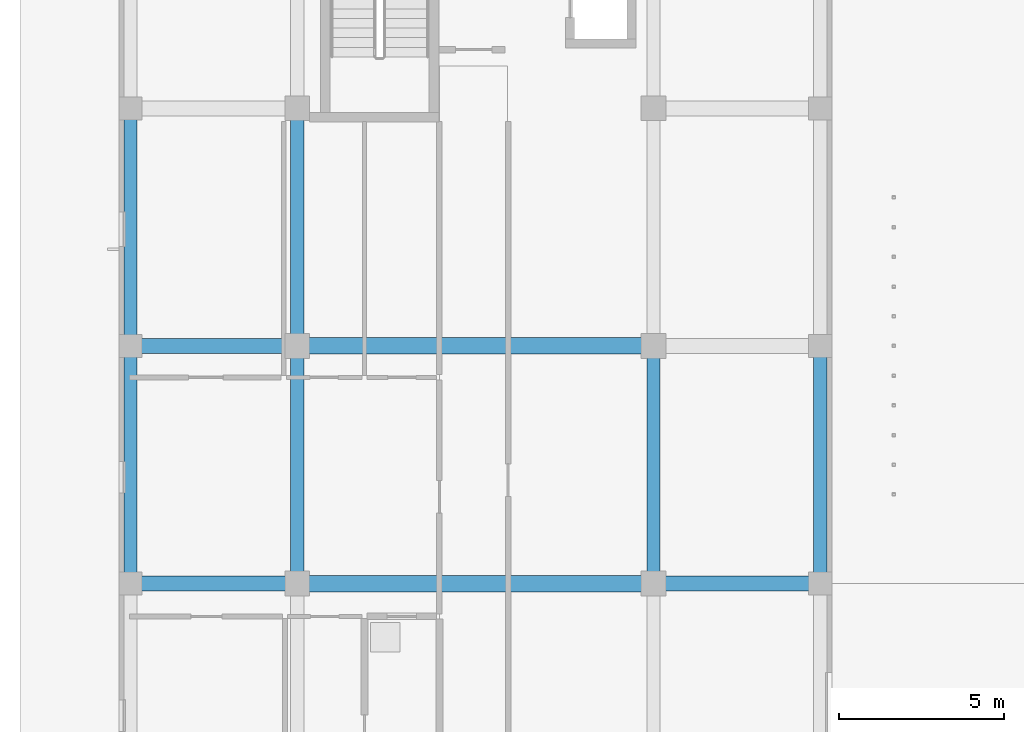
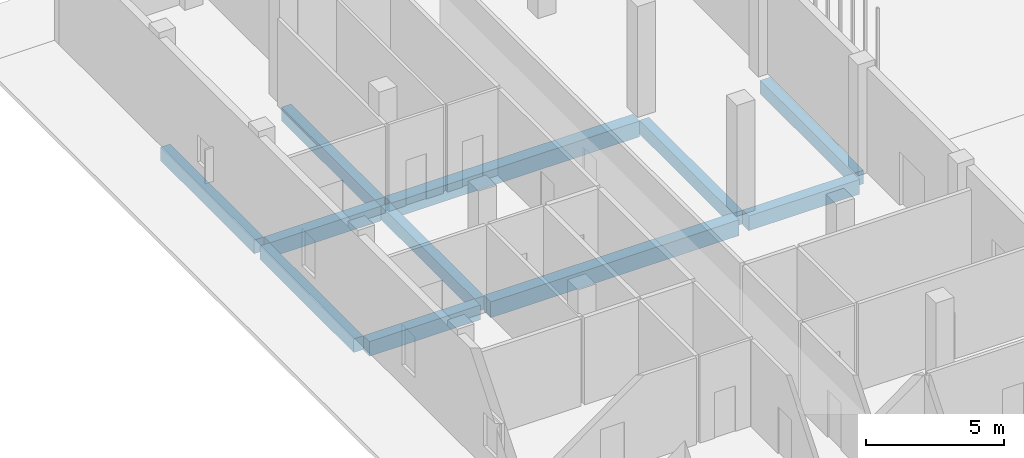
# One storey, part 18 of 85: 11 beams.
"""IFC4 building model written with IfcOpenShell, lengths in metres."""

from ifc_helpers import new_model, si_unit, derived_unit, direction, frame, origin, origin_2d, place, context, subcontext, project, spatial, rectangle, extrude, material, material_profile, profile_set, type_object, element, save


model = new_model("IFC4")

# Units and contexts
model_context = context("Model", 3, precision=1e-05, world=origin(), true_north=direction((0.0, 1.0)))
body_context = subcontext(model_context, "Body", "Model", "MODEL_VIEW")
ifc_project = project(units=[si_unit("LENGTHUNIT", "METRE"), si_unit("AREAUNIT", "SQUARE_METRE"), si_unit("VOLUMEUNIT", "CUBIC_METRE"), si_unit("PLANEANGLEUNIT", "RADIAN"), si_unit("MASSUNIT", "GRAM", prefix="KILO"), derived_unit("THERMALTRANSMITTANCEUNIT", [(si_unit("MASSUNIT", "GRAM", prefix="KILO"), 1), (si_unit("TIMEUNIT", "SECOND"), -3), (si_unit("THERMODYNAMICTEMPERATUREUNIT", "KELVIN"), -1)])], contexts=[model_context])

# Site, building, storey
site_placement = place(None, origin())
site = spatial("IfcSite", under=ifc_project, at=site_placement, CompositionType="ELEMENT")
building_placement = place(site_placement, origin())
building = spatial("IfcBuilding", under=site, at=building_placement, Name="Ochrekiln Boulevard Commons", CompositionType="ELEMENT")
storey_placement = place(building_placement, origin())
storey = spatial("IfcBuildingStorey", under=building, at=storey_placement, Name="L00", CompositionType="ELEMENT", Elevation=0.0)

# Beams
ifc_material_1 = material(Name="Concrete C35/45", Category="concrete")
ifc_material_profile_1 = material_profile(ifc_material_1, rectangle(XDim=0.39990234375, YDim=0.60009765625, at=origin_2d()), Name="RC-BM-400x600")
ifc_profile_set_1 = profile_set([ifc_material_profile_1], Name="Concrete C35/45")
beam_type_1 = type_object("IfcBeamType", Name="BM-RC-400x600", PredefinedType="BEAM", material=ifc_profile_set_1)
beam_1_placement = place(storey_placement, frame((0.35009765625, 97.409912109375, -0.580078125), z_axis=(0.0, 1.0, 0.0), x_axis=(-1.0, 0.0, 0.0)))
element("IfcBeam", 1, at=beam_1_placement, inside=storey, type_object=beam_type_1, Name="Block A L00 Beam B-4060 Y27", PredefinedType="BEAM", context=body_context, shape_type="SweptSolid", body=[
    extrude(rectangle(XDim=0.39990234375, YDim=0.60009765625, at=origin_2d()), origin(), (0.0, 0.0, 1.0), 6.780029296875),
])
beam_2_placement = place(storey_placement, frame((0.35009765625, 104.610107421875, -0.580078125), z_axis=(0.0, 1.0, 0.0), x_axis=(-1.0, 0.0, 0.0)))
element("IfcBeam", 2, at=beam_2_placement, inside=storey, type_object=beam_type_1, Name="Block A L00 Beam B-4060 Y28", PredefinedType="BEAM", context=body_context, shape_type="SweptSolid", body=[
    extrude(rectangle(XDim=0.39990234375, YDim=0.60009765625, at=origin_2d()), origin(), (0.0, 0.0, 1.0), 6.77978515625),
])
beam_3_placement = place(storey_placement, frame((5.39990234375, 97.409912109375, -0.580078125), z_axis=(0.0, 1.0, 0.0), x_axis=(-1.0, 0.0, 0.0)))
element("IfcBeam", 3, at=beam_3_placement, inside=storey, type_object=beam_type_1, Name="Block A L00 Beam B-4060 Y34", PredefinedType="BEAM", context=body_context, shape_type="SweptSolid", body=[
    extrude(rectangle(XDim=0.39990234375, YDim=0.60009765625, at=origin_2d()), origin(), (0.0, 0.0, 1.0), 6.780029296875),
])
beam_4_placement = place(storey_placement, frame((5.39990234375, 104.610107421875, -0.580078125), z_axis=(0.0, 1.0, 0.0), x_axis=(-1.0, 0.0, 0.0)))
element("IfcBeam", 4, at=beam_4_placement, inside=storey, type_object=beam_type_1, Name="Block A L00 Beam B-4060 Y35", PredefinedType="BEAM", context=body_context, shape_type="SweptSolid", body=[
    extrude(rectangle(XDim=0.39990234375, YDim=0.60009765625, at=origin_2d()), origin(), (0.0, 0.0, 1.0), 6.77978515625),
])
for number, where, z_axis, x_axis, name in (
    (5, (16.199951171875, 97.409912109375, -0.580078125), (0.0, 1.0, 0.0), (-1.0, 0.0, 0.0), "Block A L00 Beam B-4060 Y41"),
    (6, (21.25, 97.409912109375, -0.580078125), (0.0, 1.0, 0.0), (-1.0, 0.0, 0.0), "Block A L00 Beam B-4060 Y48"),
):
    element("IfcBeam", number, at=place(storey_placement, frame(where, z_axis=z_axis, x_axis=x_axis)), inside=storey, type_object=beam_type_1, Name=name, PredefinedType="BEAM", context=body_context, shape_type="SweptSolid", body=[
        extrude(rectangle(XDim=0.39990234375, YDim=0.60009765625, at=origin_2d()), origin(), (0.0, 0.0, 1.0), 6.780029296875),
    ])
ifc_material_profile_2 = material_profile(ifc_material_1, rectangle(XDim=0.449951171875, YDim=0.64990234375, at=origin_2d()), Name="RC-BM-450x650")
ifc_profile_set_2 = profile_set([ifc_material_profile_2], Name="Concrete C35/45")
beam_type_2 = type_object("IfcBeamType", Name="BM-RC-450x650", PredefinedType="BEAM", material=ifc_profile_set_2)
beam_5_placement = place(storey_placement, frame((0.56005859375, 97.199951171875, -0.60498046875), z_axis=(1.0, 0.0, 0.0), x_axis=(0.0, 1.0, 0.0)))
element("IfcBeam", 7, at=beam_5_placement, inside=storey, type_object=beam_type_2, Name="Block A L00 Beam B-4565 X12", PredefinedType="BEAM", context=body_context, shape_type="SweptSolid", body=[
    extrude(rectangle(XDim=0.449951171875, YDim=0.64990234375, at=origin_2d()), origin(), (0.0, 0.0, 1.0), 4.6298828125),
])
beam_6_placement = place(storey_placement, frame((16.409912109375, 97.199951171875, -0.60498046875), z_axis=(1.0, 0.0, 0.0), x_axis=(0.0, 1.0, 0.0)))
element("IfcBeam", 8, at=beam_6_placement, inside=storey, type_object=beam_type_2, Name="Block A L00 Beam B-4565 X14", PredefinedType="BEAM", context=body_context, shape_type="SweptSolid", body=[
    extrude(rectangle(XDim=0.449951171875, YDim=0.64990234375, at=origin_2d()), origin(), (0.0, 0.0, 1.0), 4.630126953125),
])
beam_7_placement = place(storey_placement, frame((0.56005859375, 104.39990234375, -0.60498046875), z_axis=(1.0, 0.0, 0.0), x_axis=(0.0, 1.0, 0.0)))
element("IfcBeam", 9, at=beam_7_placement, inside=storey, type_object=beam_type_2, Name="Block A L00 Beam B-4565 X15", PredefinedType="BEAM", context=body_context, shape_type="SweptSolid", body=[
    extrude(rectangle(XDim=0.449951171875, YDim=0.64990234375, at=origin_2d()), origin(), (0.0, 0.0, 1.0), 4.6298828125),
])
ifc_material_2 = material(Name="Concrete C40/50", Category="concrete")
ifc_material_profile_3 = material_profile(ifc_material_2, rectangle(XDim=0.5, YDim=0.699951171875, at=origin_2d()), Name="RC-BM-500x700")
ifc_profile_set_3 = profile_set([ifc_material_profile_3], Name="Concrete C40/50")
beam_type_3 = type_object("IfcBeamType", Name="BM-RC-500x700", PredefinedType="BEAM", material=ifc_profile_set_3)
for number, where, z_axis, x_axis, name in (
    (10, (5.610107421875, 97.199951171875, -0.6298828125), (1.0, 0.0, 0.0), (0.0, 1.0, 0.0), "Block A L00 Beam B-5070 X13"),
    (11, (5.610107421875, 104.39990234375, -0.6298828125), (1.0, 0.0, 0.0), (0.0, 1.0, 0.0), "Block A L00 Beam B-5070 X16"),
):
    element("IfcBeam", number, at=place(storey_placement, frame(where, z_axis=z_axis, x_axis=x_axis)), inside=storey, type_object=beam_type_3, Name=name, PredefinedType="BEAM", context=body_context, shape_type="SweptSolid", body=[
        extrude(rectangle(XDim=0.5, YDim=0.699951171875, at=origin_2d()), origin(), (0.0, 0.0, 1.0), 10.3798828125),
    ])

save(model, "model.ifc")
